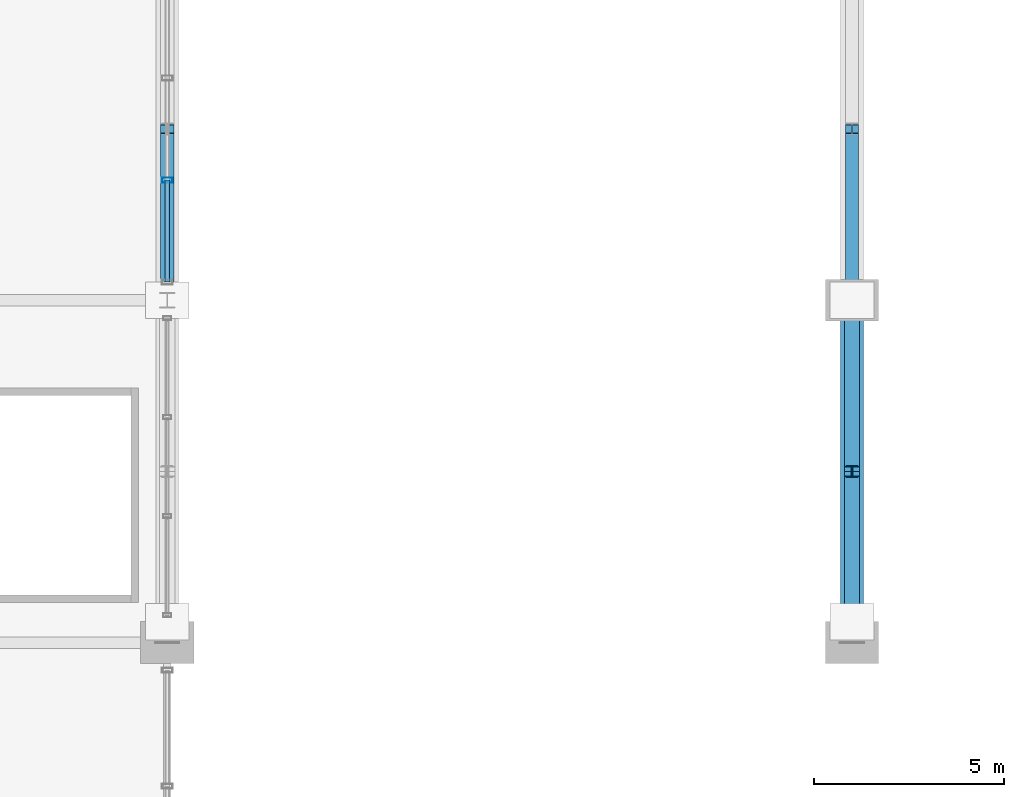
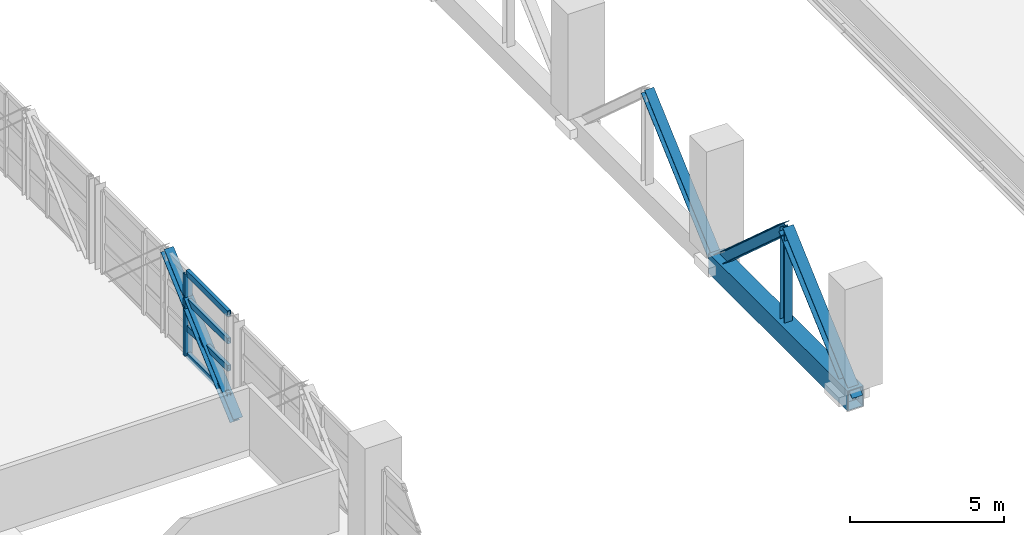
# One storey, part 43 of 136: 10 members, 1 beam, 1 element without a shape of its own.
"""IFC4 building model written with IfcOpenShell, lengths in metres."""

from ifc_helpers import new_model, si_unit, direction, frame, origin, origin_2d, place, context, subcontext, project, spatial, hollow_rectangle, i_section, extrude, material, material_profile, profile_set, type_object, element, aggregate, save


model = new_model("IFC4")

# Units and contexts
model_context = context("Model", 3, precision=1e-05, world=origin(), true_north=direction((0.0, 1.0)))
body_context = subcontext(model_context, "Body", "Model", "MODEL_VIEW")
ifc_project = project(units=[si_unit("LENGTHUNIT", "METRE"), si_unit("AREAUNIT", "SQUARE_METRE"), si_unit("VOLUMEUNIT", "CUBIC_METRE"), si_unit("PLANEANGLEUNIT", "RADIAN"), si_unit("MASSUNIT", "GRAM", prefix="KILO")], contexts=[model_context])

# Site, building, storey
site_placement = place(None, origin())
site = spatial("IfcSite", under=ifc_project, at=site_placement, CompositionType="ELEMENT")
building_placement = place(site_placement, origin())
building = spatial("IfcBuilding", under=site, at=building_placement, Name="Chuanluo Vaults Station", CompositionType="ELEMENT")
storey_placement = place(building_placement, frame((0.0, 0.0, 6.60009765625)))
storey = spatial("IfcBuildingStorey", under=building, at=storey_placement, Name="L01", CompositionType="ELEMENT", Elevation=6.60009765625)

# Beam
ifc_material_1 = material(Name="Steel Q390C", Category="steel")
ifc_material_profile_1 = material_profile(ifc_material_1, hollow_rectangle(XDim=0.60009765625, YDim=0.800048828125, WallThickness=0.031982421875, at=origin_2d()))
ifc_profile_set_1 = profile_set([ifc_material_profile_1], Name="Steel Q390C")
beam_type = type_object("IfcBeamType", Name="BM-TT-BOT", PredefinedType="USERDEFINED", material=ifc_profile_set_1)
beam_placement = place(storey_placement, frame((126.0, 67.5, -0.68017578125), z_axis=(0.0, 1.0, 0.0), x_axis=(-1.0, 0.0, 0.0)))
element("IfcBeam", 1, at=beam_placement, inside=storey, type_object=beam_type, Name="Transfer truss TT-8 bottom chord 1", ObjectType="GIRDER", PredefinedType="USERDEFINED", context=body_context, shape_type="SweptSolid", body=[
    extrude(hollow_rectangle(XDim=0.60009765625, YDim=0.800048828125, WallThickness=0.031982421875, at=origin_2d()), origin(), (0.0, 0.0, 1.0), 9.0),
])

# Curtain wall, members
ifc_material_2 = material(Name="Anodised aluminium 6063-T6", Category="aluminium")
curtain_wall_type = type_object("IfcCurtainWallType", Name="CW-SYS-26", PredefinedType="NOTDEFINED", material=ifc_material_2)
curtain_wall_placement = place(storey_placement, origin())
curtain_wall = element("IfcCurtainWall", 2, at=curtain_wall_placement, inside=storey, type_object=curtain_wall_type, Name="Over-track east hall CW 76", PredefinedType="NOTDEFINED")
ifc_material_3 = material(Name="Anodised aluminium 6063-T6", Category="aluminium")
ifc_material_profile_2 = material_profile(ifc_material_3, hollow_rectangle(XDim=0.1298828125, YDim=0.280029296875, WallThickness=0.007080078125, at=origin_2d()))
ifc_profile_set_2 = profile_set([ifc_material_profile_2], Name="Anodised aluminium 6063-T6")
member_type_1 = type_object("IfcMemberType", Name="CWM-180", PredefinedType="MULLION", material=ifc_profile_set_2)
member_1_placement = place(storey_placement, frame((108.0, 79.658203125, 0.0), z_axis=(0.0, 0.0, 1.0), x_axis=(0.0, -1.0, 0.0)))
member_1 = element("IfcMember", 3, at=member_1_placement, type_object=member_type_1, Name="Over-track east hall CW 76 mullion 3", PredefinedType="MULLION", context=body_context, shape_type="SweptSolid", body=[
    extrude(hollow_rectangle(XDim=0.1298828125, YDim=0.280029296875, WallThickness=0.007080078125, at=origin_2d()), origin(), (0.0, 0.0, 1.0), 3.25),
])
ifc_material_4 = material(Name="Anodised aluminium 6063-T6", Category="aluminium")
ifc_material_profile_3 = material_profile(ifc_material_4, hollow_rectangle(XDim=0.1298828125, YDim=0.22998046875, WallThickness=0.006103515625, at=origin_2d()))
ifc_profile_set_3 = profile_set([ifc_material_profile_3], Name="Anodised aluminium 6063-T6")
member_type_2 = type_object("IfcMemberType", Name="CWT-150", PredefinedType="USERDEFINED", material=ifc_profile_set_3)
member_2_placement = place(storey_placement, frame((108.0, 79.658203125, 0.0), z_axis=(0.0, -1.0, 0.0), x_axis=(1.0, 0.0, 0.0)))
member_2 = element("IfcMember", 4, at=member_2_placement, type_object=member_type_2, Name="Over-track east hall CW 76 transom 3.1", ObjectType="TRANSOM", PredefinedType="USERDEFINED", context=body_context, shape_type="SweptSolid", body=[
    extrude(hollow_rectangle(XDim=0.1298828125, YDim=0.22998046875, WallThickness=0.006103515625, at=origin_2d()), origin(), (0.0, 0.0, 1.0), 2.68310546875),
])
member_3_placement = place(storey_placement, frame((108.0, 79.658203125, 1.083251953125), z_axis=(0.0, -1.0, 0.0), x_axis=(1.0, 0.0, 0.0)))
member_3 = element("IfcMember", 5, at=member_3_placement, type_object=member_type_2, Name="Over-track east hall CW 76 transom 3.2", ObjectType="TRANSOM", PredefinedType="USERDEFINED", context=body_context, shape_type="SweptSolid", body=[
    extrude(hollow_rectangle(XDim=0.1298828125, YDim=0.22998046875, WallThickness=0.006103515625, at=origin_2d()), origin(), (0.0, 0.0, 1.0), 2.68310546875),
])
member_4_placement = place(storey_placement, frame((108.0, 79.658203125, 2.16650390625), z_axis=(0.0, -1.0, 0.0), x_axis=(1.0, 0.0, 0.0)))
member_4 = element("IfcMember", 6, at=member_4_placement, type_object=member_type_2, Name="Over-track east hall CW 76 transom 3.3", ObjectType="TRANSOM", PredefinedType="USERDEFINED", context=body_context, shape_type="SweptSolid", body=[
    extrude(hollow_rectangle(XDim=0.1298828125, YDim=0.22998046875, WallThickness=0.006103515625, at=origin_2d()), origin(), (0.0, 0.0, 1.0), 2.68310546875),
])
member_5_placement = place(storey_placement, frame((108.0, 79.658203125, 3.25), z_axis=(0.0, -1.0, 0.0), x_axis=(1.0, 0.0, 0.0)))
member_5 = element("IfcMember", 7, at=member_5_placement, type_object=member_type_2, Name="Over-track east hall CW 76 transom 3.4", ObjectType="TRANSOM", PredefinedType="USERDEFINED", context=body_context, shape_type="SweptSolid", body=[
    extrude(hollow_rectangle(XDim=0.1298828125, YDim=0.22998046875, WallThickness=0.006103515625, at=origin_2d()), origin(), (0.0, 0.0, 1.0), 2.68310546875),
])
aggregate(curtain_wall, [member_1, member_2, member_3, member_4, member_5])

# Members
ifc_material_5 = material(Name="Steel Q390C", Category="steel")
ifc_material_profile_4 = material_profile(ifc_material_5, i_section(OverallWidth=0.35009765625, OverallDepth=0.35009765625, WebThickness=0.011962890625, FlangeThickness=0.01904296875, FilletRadius=0.02001953125, at=origin_2d()))
ifc_profile_set_4 = profile_set([ifc_material_profile_4], Name="Steel Q390C")
member_type_3 = type_object("IfcMemberType", Name="MEM-DIAG-350", PredefinedType="BRACE", material=ifc_profile_set_4)
for number, where, z_axis, x_axis, name in (
    (8, (108.0, 76.5, -0.68017578125), (0.0, 0.744935757439, 0.667136205949), (-1.0, 0.0, 0.0), "Transfer truss TT-7 diagonal 2A"),
    (9, (126.0, 76.5, -0.68017578125), (0.0, 0.744935757439, 0.667136205949), (-1.0, 0.0, 0.0), "Transfer truss TT-8 diagonal 2A"),
):
    element("IfcMember", number, at=place(storey_placement, frame(where, z_axis=z_axis, x_axis=x_axis)), inside=storey, type_object=member_type_3, Name=name, PredefinedType="BRACE", context=body_context, shape_type="SweptSolid", body=[
        extrude(i_section(OverallWidth=0.35009765625, OverallDepth=0.35009765625, WebThickness=0.011962890625, FlangeThickness=0.01904296875, FilletRadius=0.02001953125, at=origin_2d()), origin(), (0.0, 0.0, 1.0), 6.040771484375),
    ])
ifc_material_6 = material(Name="Steel Q390C", Category="steel")
ifc_material_profile_5 = material_profile(ifc_material_6, i_section(OverallWidth=0.39990234375, OverallDepth=0.407958984375, WebThickness=0.02099609375, FlangeThickness=0.02099609375, FilletRadius=0.02197265625, at=origin_2d()))
ifc_profile_set_5 = profile_set([ifc_material_profile_5], Name="Steel Q390C")
member_type_4 = type_object("IfcMemberType", Name="MEM-DIAG-408", PredefinedType="BRACE", material=ifc_profile_set_5)
for number, where, z_axis, x_axis, name in (
    (10, (126.0, 67.5, -0.68017578125), (0.0, 0.744935757439, 0.667136205949), (-1.0, 0.0, 0.0), "Transfer truss TT-8 diagonal 1A"),
    (11, (126.0, 72.0, 3.349853515625), (0.0, 0.744935757439, -0.667136205949), (-1.0, 0.0, 0.0), "Transfer truss TT-8 diagonal 1B"),
):
    element("IfcMember", number, at=place(storey_placement, frame(where, z_axis=z_axis, x_axis=x_axis)), inside=storey, type_object=member_type_4, Name=name, PredefinedType="BRACE", context=body_context, shape_type="SweptSolid", body=[
        extrude(i_section(OverallWidth=0.39990234375, OverallDepth=0.407958984375, WebThickness=0.02099609375, FlangeThickness=0.02099609375, FilletRadius=0.02197265625, at=origin_2d()), origin(), (0.0, 0.0, 1.0), 6.040771484375),
    ])
ifc_material_7 = material(Name="Steel Q390C", Category="steel")
ifc_material_profile_6 = material_profile(ifc_material_7, i_section(OverallWidth=0.300048828125, OverallDepth=0.300048828125, WebThickness=0.010009765625, FlangeThickness=0.014892578125, FilletRadius=0.01806640625, at=origin_2d()))
ifc_profile_set_6 = profile_set([ifc_material_profile_6], Name="Steel Q390C")
member_type_5 = type_object("IfcMemberType", Name="MEM-VERT-300", PredefinedType="POST", material=ifc_profile_set_6)
member_6_placement = place(storey_placement, frame((126.0, 72.0, -0.68017578125), z_axis=(0.0, 0.0, 1.0), x_axis=(1.0, 0.0, 0.0)))
element("IfcMember", 12, at=member_6_placement, inside=storey, type_object=member_type_5, Name="Transfer truss TT-8 mid-panel hanger 1", PredefinedType="POST", context=body_context, shape_type="SweptSolid", body=[
    extrude(i_section(OverallWidth=0.300048828125, OverallDepth=0.300048828125, WebThickness=0.010009765625, FlangeThickness=0.014892578125, FilletRadius=0.01806640625, at=origin_2d()), origin(), (0.0, 0.0, 1.0), 4.030029296875),
])

save(model, "model.ifc")
